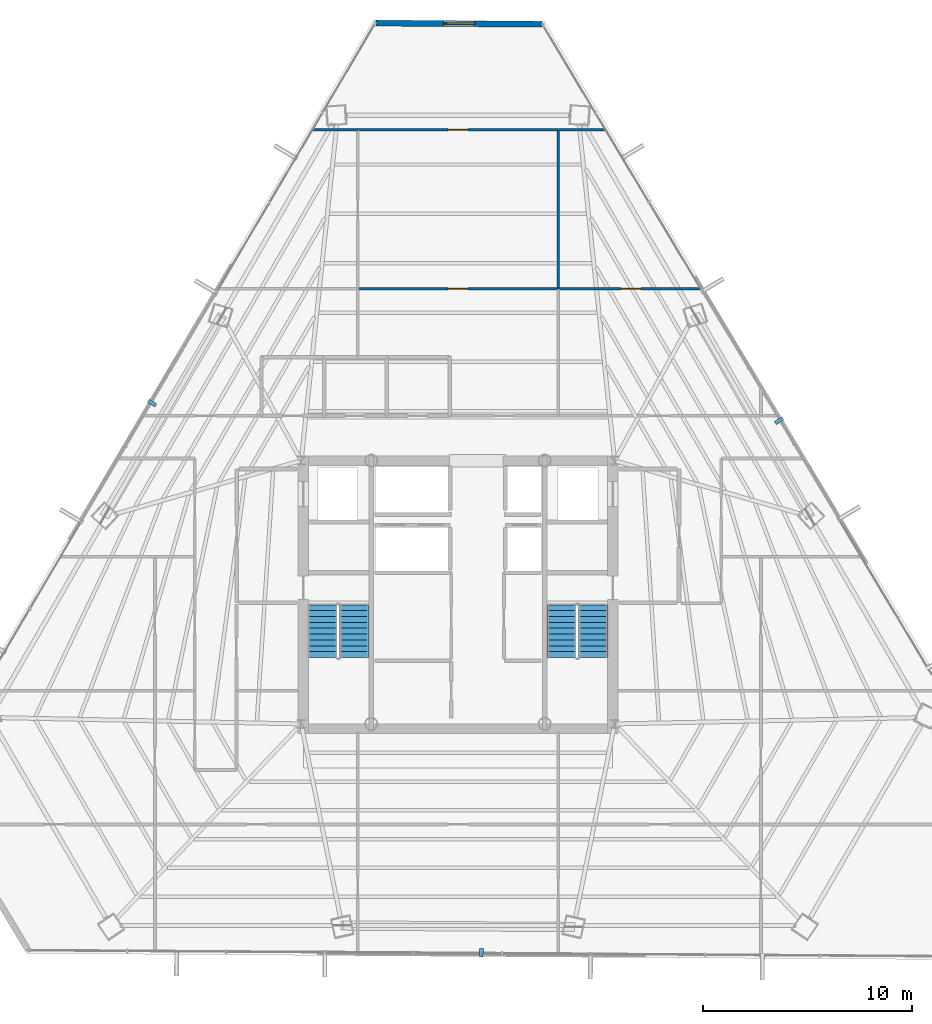
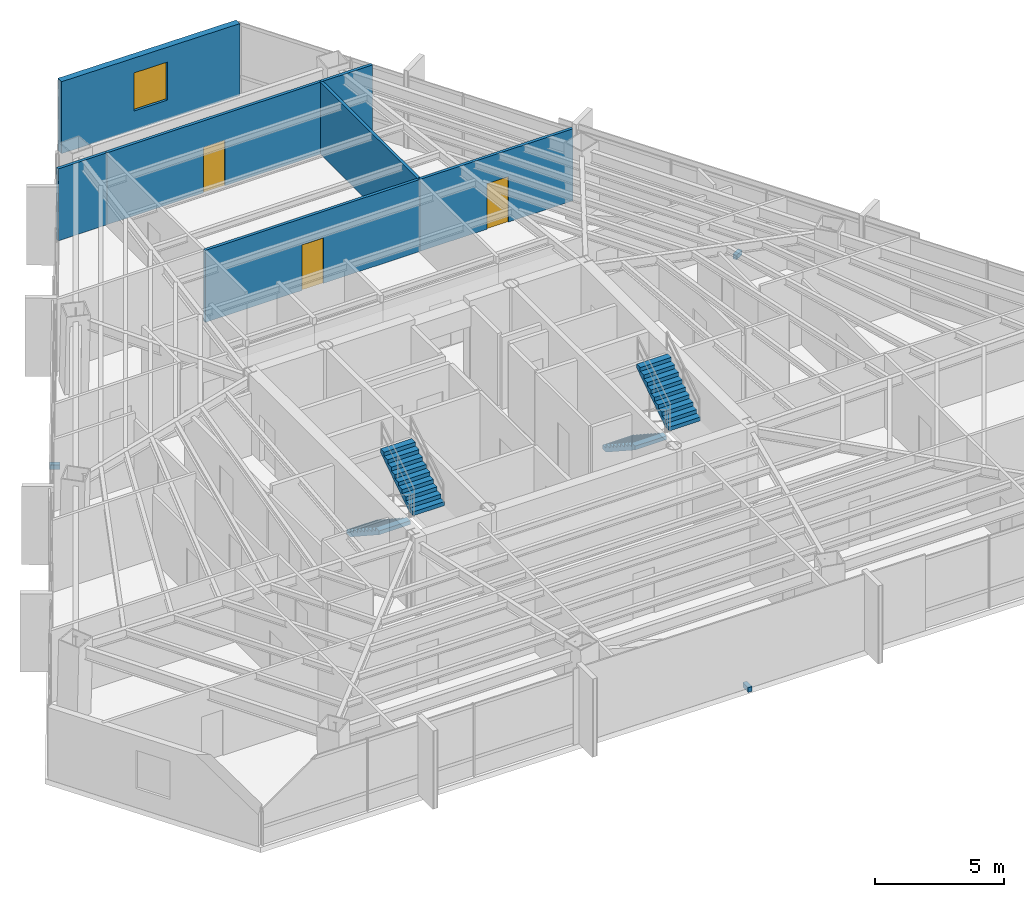
# One storey, part 38 of 41: 7 walls, 4 stair flights, 3 discrete accessories, 3 doors, 1 window, 4 openings, 2 elements without a shape of their own.
"""IFC4 building model written with IfcOpenShell, lengths in metres."""

from ifc_helpers import new_model, si_unit, direction, frame, frame_2d, origin, origin_2d, place, context, subcontext, project, spatial, polyline, rectangle, outline, extrude, source, transform, mapped, material, layer, layer_set, type_object, type_shapes, element, fill, aggregate, save


model = new_model("IFC4")

# Units and contexts
model_context = context("Model", 3, precision=1e-05, world=origin(), true_north=direction((0.0, 1.0)))
body_context = subcontext(model_context, "Body", "Model", "MODEL_VIEW")
ifc_project = project(units=[si_unit("LENGTHUNIT", "METRE"), si_unit("AREAUNIT", "SQUARE_METRE"), si_unit("VOLUMEUNIT", "CUBIC_METRE"), si_unit("PLANEANGLEUNIT", "RADIAN"), si_unit("MASSUNIT", "GRAM", prefix="KILO")], contexts=[model_context])

# Site, building, storey
site_placement = place(None, origin())
site = spatial("IfcSite", under=ifc_project, at=site_placement, CompositionType="ELEMENT")
building_placement = place(site_placement, origin())
building = spatial("IfcBuilding", under=site, at=building_placement, Name="Caelisora Broadcast Tower", CompositionType="ELEMENT")
storey_placement = place(building_placement, frame((0.0, 0.0, 173.10009765625)))
storey = spatial("IfcBuildingStorey", under=building, at=storey_placement, Name="L45", CompositionType="ELEMENT", Elevation=173.10009765625)

# Wall, opening, window
ifc_material_1 = material(Name="Insulated Terracotta Spandrel Wall System", Category="masonry")
ifc_layer_1 = layer(ifc_material_1, 0.280029296875, Name="Insulated Terracotta Spandrel Wall System")
ifc_layer_set_1 = layer_set([ifc_layer_1], Name="Insulated Terracotta Spandrel Wall System")
wall_type_1 = type_object("IfcWallType", Name="EW1", PredefinedType="STANDARD", material=ifc_layer_set_1)
wall_1_placement = place(storey_placement, frame((34.0791015625, 50.935791015625, 0.0), z_axis=(0.0, 0.0, 1.0), x_axis=(0.999978932119, -0.006491172271, 0.0)))
wall_1 = element("IfcWall", 1, at=wall_1_placement, inside=storey, type_object=wall_type_1, Name="L45 exterior envelope wall EW1", PredefinedType="STANDARD", context=body_context, shape_type="SweptSolid", body=[
    extrude(rectangle(XDim=7.93603515625, YDim=0.280029296875, at=frame_2d((3.968017578125, 0.0))), origin(), (0.0, 0.0, 1.0), 3.39990234375),
])
opening_1_placement = place(wall_1_placement, frame((3.219970703125, 0.0, 0.89990234375)))
opening_1 = element("IfcOpeningElement", 2, at=opening_1_placement, cuts=wall_1, Name="Opening W02", PredefinedType="OPENING", context=body_context, shape_type="SweptSolid", body=[
    extrude(rectangle(XDim=1.5, YDim=1.800048828125, at=frame_2d((0.75, 0.89990234375))), frame((0.0, 0.152099609375, 0.0), z_axis=(0.0, -1.0, 0.0), x_axis=(1.0, 0.0, 0.0)), (0.0, 0.0, 1.0), 0.303955078125),
])
ifc_material_2 = material(Name="Double Glazed Terracotta-Framed Vision Window", Category="glass")
window_type = type_object("IfcWindowType", Name="W02", PartitioningType="SINGLE_PANEL", PredefinedType="WINDOW", material=ifc_material_2)
window_placement = place(opening_1_placement, origin())
window = element("IfcWindow", 3, at=window_placement, inside=storey, type_object=window_type, Name="L45 window W02 (L45-WN-CH8)", OverallHeight=1.800048828125, OverallWidth=1.5, PartitioningType="SINGLE_PANEL", PredefinedType="WINDOW", context=body_context, shape_type="SweptSolid", body=[
    extrude(rectangle(XDim=1.5, YDim=1.800048828125, at=frame_2d((0.75, 0.89990234375))), frame((0.0, 0.030029296875, 0.0), z_axis=(0.0, -1.0, 0.0), x_axis=(1.0, 0.0, 0.0)), (0.0, 0.0, 1.0), 0.06005859375),
])
fill(opening_1, window)

# Wall, opening, door
ifc_material_3 = material(Name="Acoustic Steel-Stud Plasterboard Partition", Category="gypsum")
ifc_layer_2 = layer(ifc_material_3, 0.1298828125, Name="Acoustic Steel-Stud Plasterboard Partition")
ifc_layer_set_2 = layer_set([ifc_layer_2], Name="Acoustic Steel-Stud Plasterboard Partition")
wall_type_2 = type_object("IfcWallType", Name="PW3", PredefinedType="PARTITIONING", material=ifc_layer_set_2)
wall_2_placement = place(storey_placement, frame((33.205078125, 45.830078125, 0.0), z_axis=(0.0, 0.0, 1.0), x_axis=(1.0, 0.0, 0.0)))
wall_2 = element("IfcWall", 4, at=wall_2_placement, inside=storey, type_object=wall_type_2, Name="L45 internal partition PW3", PredefinedType="PARTITIONING", context=body_context, shape_type="SweptSolid", body=[
    extrude(rectangle(XDim=9.58984375, YDim=0.1298828125, at=frame_2d((4.794921875, 0.0))), origin(), (0.0, 0.0, 1.0), 3.39990234375),
])
opening_2_placement = place(wall_2_placement, frame((4.31494140625, 0.0, 0.0)))
opening_2 = element("IfcOpeningElement", 5, at=opening_2_placement, cuts=wall_2, Name="Opening D01", PredefinedType="OPENING", context=body_context, shape_type="SweptSolid", body=[
    extrude(rectangle(XDim=0.9599609375, YDim=2.14990234375, at=frame_2d((0.47998046875, 1.074951171875))), frame((0.0, 0.076904296875, 0.0), z_axis=(0.0, -1.0, 0.0), x_axis=(1.0, 0.0, 0.0)), (0.0, 0.0, 1.0), 0.15380859375),
])
ifc_material_4 = material(Name="Solid-Core Timber Acoustic Office Door", Category="wood")
door_type = type_object("IfcDoorType", Name="D01", OperationType="NOTDEFINED", PredefinedType="DOOR", material=ifc_material_4)
door_1_placement = place(opening_2_placement, origin())
door_1 = element("IfcDoor", 6, at=door_1_placement, inside=storey, type_object=door_type, Name="L45 door D01 (L45-DR-P32D1)", OperationType="SINGLE_SWING_LEFT", OverallHeight=2.14990234375, OverallWidth=0.9599609375, PredefinedType="DOOR", context=body_context, shape_type="SweptSolid", body=[
    extrude(rectangle(XDim=0.9599609375, YDim=2.14990234375, at=frame_2d((0.47998046875, 1.074951171875))), frame((0.0, 0.02490234375, 0.0), z_axis=(0.0, -1.0, 0.0), x_axis=(1.0, 0.0, 0.0)), (0.0, 0.0, 1.0), 0.050048828125),
])
fill(opening_2, door_1)

wall_3_placement = place(storey_placement, frame((33.205078125, 38.219970703125, 0.0), z_axis=(0.0, 0.0, 1.0), x_axis=(1.0, 0.0, 0.0)))
wall_3 = element("IfcWall", 7, at=wall_3_placement, inside=storey, type_object=wall_type_2, Name="L45 internal partition PW3", PredefinedType="PARTITIONING", context=body_context, shape_type="SweptSolid", body=[
    extrude(rectangle(XDim=9.58984375, YDim=0.1298828125, at=frame_2d((4.794921875, 0.0))), origin(), (0.0, 0.0, 1.0), 3.39990234375),
])
opening_3_placement = place(wall_3_placement, frame((4.31494140625, 0.0, 0.0)))
opening_3 = element("IfcOpeningElement", 8, at=opening_3_placement, cuts=wall_3, Name="Opening D01", PredefinedType="OPENING", context=body_context, shape_type="SweptSolid", body=[
    extrude(rectangle(XDim=0.9599609375, YDim=2.14990234375, at=frame_2d((0.47998046875, 1.074951171875))), frame((0.0, 0.076904296875, 0.0), z_axis=(0.0, -1.0, 0.0), x_axis=(1.0, 0.0, 0.0)), (0.0, 0.0, 1.0), 0.15380859375),
])
door_2_placement = place(opening_3_placement, origin())
door_2 = element("IfcDoor", 9, at=door_2_placement, inside=storey, type_object=door_type, Name="L45 door D01 (L45-DR-P33D1)", OperationType="SINGLE_SWING_RIGHT", OverallHeight=2.14990234375, OverallWidth=0.9599609375, PredefinedType="DOOR", context=body_context, shape_type="SweptSolid", body=[
    extrude(rectangle(XDim=0.9599609375, YDim=2.14990234375, at=frame_2d((0.47998046875, 1.074951171875))), frame((0.0, 0.02490234375, 0.0), z_axis=(0.0, -1.0, 0.0), x_axis=(1.0, 0.0, 0.0)), (0.0, 0.0, 1.0), 0.050048828125),
])
fill(opening_3, door_2)

# Wall
wall_4_placement = place(storey_placement, frame((42.800048828125, 38.22509765625, 0.0), z_axis=(0.0, 0.0, 1.0), x_axis=(0.0, 1.0, 0.0)))
element("IfcWall", 10, at=wall_4_placement, inside=storey, type_object=wall_type_2, Name="L45 internal partition PW3", PredefinedType="PARTITIONING", context=body_context, shape_type="SweptSolid", body=[
    extrude(rectangle(XDim=7.599853515625, YDim=0.1298828125, at=frame_2d((3.7998046875, 0.0))), origin(), (0.0, 0.0, 1.0), 3.39990234375),
])

# Wall, opening, door
wall_5_placement = place(storey_placement, frame((42.804931640625, 38.219970703125, 0.0), z_axis=(0.0, 0.0, 1.0), x_axis=(1.0, 0.0, 0.0)))
wall_5 = element("IfcWall", 11, at=wall_5_placement, inside=storey, type_object=wall_type_2, Name="L45 internal partition PW3", PredefinedType="PARTITIONING", context=body_context, shape_type="SweptSolid", body=[
    extrude(rectangle(XDim=6.828125, YDim=0.1298828125, at=frame_2d((3.4140625, 0.0))), origin(), (0.0, 0.0, 1.0), 3.39990234375),
])
opening_4_placement = place(wall_5_placement, frame((2.988037109375, 0.0, 0.0)))
opening_4 = element("IfcOpeningElement", 12, at=opening_4_placement, cuts=wall_5, Name="Opening D01", PredefinedType="OPENING", context=body_context, shape_type="SweptSolid", body=[
    extrude(rectangle(XDim=0.9599609375, YDim=2.14990234375, at=frame_2d((0.47998046875, 1.074951171875))), frame((0.0, 0.076904296875, 0.0), z_axis=(0.0, -1.0, 0.0), x_axis=(1.0, 0.0, 0.0)), (0.0, 0.0, 1.0), 0.15380859375),
])
door_3_placement = place(opening_4_placement, origin())
door_3 = element("IfcDoor", 13, at=door_3_placement, inside=storey, type_object=door_type, Name="L45 door D01 (L45-DR-P39D1)", OperationType="SINGLE_SWING_RIGHT", OverallHeight=2.14990234375, OverallWidth=0.9599609375, PredefinedType="DOOR", context=body_context, shape_type="SweptSolid", body=[
    extrude(rectangle(XDim=0.9599609375, YDim=2.14990234375, at=frame_2d((0.47998046875, 1.074951171875))), frame((0.0, 0.02490234375, 0.0), z_axis=(0.0, -1.0, 0.0), x_axis=(1.0, 0.0, 0.0)), (0.0, 0.0, 1.0), 0.050048828125),
])
fill(opening_4, door_3)

# Walls
wall_6_placement = place(storey_placement, frame((42.804931640625, 45.830078125, 0.0), z_axis=(0.0, 0.0, 1.0), x_axis=(1.0, 0.0, 0.0)))
element("IfcWall", 14, at=wall_6_placement, inside=storey, type_object=wall_type_2, Name="L45 internal partition PW3", PredefinedType="PARTITIONING", context=body_context, shape_type="SweptSolid", body=[
    extrude(rectangle(XDim=2.271484375, YDim=0.1298828125, at=frame_2d((1.1357421875, 0.0))), origin(), (0.0, 0.0, 1.0), 3.39990234375),
])
wall_7_placement = place(storey_placement, frame((31.03173828125, 45.830078125, 0.0), z_axis=(0.0, 0.0, 1.0), x_axis=(1.0, 0.0, 0.0)))
element("IfcWall", 15, at=wall_7_placement, inside=storey, type_object=wall_type_2, Name="L45 internal partition PW3", PredefinedType="PARTITIONING", context=body_context, shape_type="SweptSolid", body=[
    extrude(rectangle(XDim=2.163330078125, YDim=0.1298828125, at=frame_2d((1.08154296875, 0.0))), origin(), (0.0, 0.0, 1.0), 3.39990234375),
])

# Stair, stair flights
ifc_material_5 = material(Name="Concrete 40 MPa (AS 3600 N40)", Category="concrete")
stair_type_1 = type_object("IfcStairType", Name="ST-1", PredefinedType="HALF_TURN_STAIR", material=ifc_material_5)
stair_1_placement = place(storey_placement, origin())
stair_1 = element("IfcStair", 16, at=stair_1_placement, inside=storey, type_object=stair_type_1, Name="L45 West Fire-Isolated Tower Stair", PredefinedType="HALF_TURN_STAIR")
stair_flight_type = type_object("IfcStairFlightType", Name="STF-3", PredefinedType="STRAIGHT", material=ifc_material_5)
stair_flight_1_placement = place(storey_placement, frame((31.52001953125, 23.10009765625, 0.0), z_axis=(0.0, 0.0, 1.0), x_axis=(0.0, -1.0, 0.0)))
stair_flight_1 = element("IfcStairFlight", 17, at=stair_flight_1_placement, type_object=stair_flight_type, Name="ST-1 flight 1", NumberOfRisers=10, NumberOfTreads=9, PredefinedType="STRAIGHT", RiserHeight=0.1825, TreadLength=0.28, context=body_context, shape_type="SweptSolid", body=[
    extrude(outline(polyline([(0.0, 0.0), (0.0, 0.1826171875), (0.280029296875, 0.1826171875), (0.280029296875, 0.364990234375), (0.56005859375, 0.364990234375), (0.56005859375, 0.547607421875), (0.840087890625, 0.547607421875), (0.840087890625, 0.72998046875), (1.1201171875, 0.72998046875), (1.1201171875, 0.91259765625), (1.39990234375, 0.91259765625), (1.39990234375, 1.094970703125), (1.679931640625, 1.094970703125), (1.679931640625, 1.277587890625), (1.9599609375, 1.277587890625), (1.9599609375, 1.4599609375), (2.239990234375, 1.4599609375), (2.239990234375, 1.642578125), (2.52001953125, 1.642578125), (2.52001953125, 1.824951171875), (2.52001953125, 1.463623046875), (0.2744140625, 0.0), (0.0, 0.0)])), frame((0.0, 0.699951171875, 0.0), z_axis=(0.0, -1.0, 0.0), x_axis=(1.0, 0.0, 0.0)), (0.0, 0.0, 1.0), 1.39990234375),
])
stair_flight_2_placement = place(storey_placement, frame((33.0400390625, 20.580078125, 1.824951171875), z_axis=(0.0, 0.0, 1.0), x_axis=(0.0, 1.0, 0.0)))
stair_flight_2 = element("IfcStairFlight", 18, at=stair_flight_2_placement, type_object=stair_flight_type, Name="ST-1 flight 2", NumberOfRisers=10, NumberOfTreads=9, PredefinedType="STRAIGHT", RiserHeight=0.1825, TreadLength=0.28, context=body_context, shape_type="SweptSolid", body=[
    extrude(outline(polyline([(0.0, 0.0), (0.0, 0.1826171875), (0.280029296875, 0.1826171875), (0.280029296875, 0.364990234375), (0.56005859375, 0.364990234375), (0.56005859375, 0.547607421875), (0.840087890625, 0.547607421875), (0.840087890625, 0.72998046875), (1.1201171875, 0.72998046875), (1.1201171875, 0.91259765625), (1.39990234375, 0.91259765625), (1.39990234375, 1.094970703125), (1.679931640625, 1.094970703125), (1.679931640625, 1.277587890625), (1.9599609375, 1.277587890625), (1.9599609375, 1.4599609375), (2.239990234375, 1.4599609375), (2.239990234375, 1.642578125), (2.52001953125, 1.642578125), (2.52001953125, 1.824951171875), (2.52001953125, 1.463623046875), (0.2744140625, 0.0), (0.0, 0.0)])), frame((0.0, 0.699951171875, 0.0), z_axis=(0.0, -1.0, 0.0), x_axis=(1.0, 0.0, 0.0)), (0.0, 0.0, 1.0), 1.39990234375),
])
aggregate(stair_1, [stair_flight_1, stair_flight_2])

stair_type_2 = type_object("IfcStairType", Name="ST-2", PredefinedType="HALF_TURN_STAIR", material=ifc_material_5)
stair_2_placement = place(storey_placement, origin())
stair_2 = element("IfcStair", 19, at=stair_2_placement, inside=storey, type_object=stair_type_2, Name="L45 East Fire-Isolated Tower Stair", PredefinedType="HALF_TURN_STAIR")
stair_flight_3_placement = place(storey_placement, frame((42.9599609375, 23.10009765625, 0.0), z_axis=(0.0, 0.0, 1.0), x_axis=(0.0, -1.0, 0.0)))
stair_flight_3 = element("IfcStairFlight", 20, at=stair_flight_3_placement, type_object=stair_flight_type, Name="ST-2 flight 1", NumberOfRisers=10, NumberOfTreads=9, PredefinedType="STRAIGHT", RiserHeight=0.1825, TreadLength=0.28, context=body_context, shape_type="SweptSolid", body=[
    extrude(outline(polyline([(0.0, 0.0), (0.0, 0.1826171875), (0.280029296875, 0.1826171875), (0.280029296875, 0.364990234375), (0.56005859375, 0.364990234375), (0.56005859375, 0.547607421875), (0.840087890625, 0.547607421875), (0.840087890625, 0.72998046875), (1.1201171875, 0.72998046875), (1.1201171875, 0.91259765625), (1.39990234375, 0.91259765625), (1.39990234375, 1.094970703125), (1.679931640625, 1.094970703125), (1.679931640625, 1.277587890625), (1.9599609375, 1.277587890625), (1.9599609375, 1.4599609375), (2.239990234375, 1.4599609375), (2.239990234375, 1.642578125), (2.52001953125, 1.642578125), (2.52001953125, 1.824951171875), (2.52001953125, 1.463623046875), (0.2744140625, 0.0), (0.0, 0.0)])), frame((0.0, 0.699951171875, 0.0), z_axis=(0.0, -1.0, 0.0), x_axis=(1.0, 0.0, 0.0)), (0.0, 0.0, 1.0), 1.39990234375),
])
stair_flight_4_placement = place(storey_placement, frame((44.47998046875, 20.580078125, 1.824951171875), z_axis=(0.0, 0.0, 1.0), x_axis=(0.0, 1.0, 0.0)))
stair_flight_4 = element("IfcStairFlight", 21, at=stair_flight_4_placement, type_object=stair_flight_type, Name="ST-2 flight 2", NumberOfRisers=10, NumberOfTreads=9, PredefinedType="STRAIGHT", RiserHeight=0.1825, TreadLength=0.28, context=body_context, shape_type="SweptSolid", body=[
    extrude(outline(polyline([(0.0, 0.0), (0.0, 0.1826171875), (0.280029296875, 0.1826171875), (0.280029296875, 0.364990234375), (0.56005859375, 0.364990234375), (0.56005859375, 0.547607421875), (0.840087890625, 0.547607421875), (0.840087890625, 0.72998046875), (1.1201171875, 0.72998046875), (1.1201171875, 0.91259765625), (1.39990234375, 0.91259765625), (1.39990234375, 1.094970703125), (1.679931640625, 1.094970703125), (1.679931640625, 1.277587890625), (1.9599609375, 1.277587890625), (1.9599609375, 1.4599609375), (2.239990234375, 1.4599609375), (2.239990234375, 1.642578125), (2.52001953125, 1.642578125), (2.52001953125, 1.824951171875), (2.52001953125, 1.463623046875), (0.2744140625, 0.0), (0.0, 0.0)])), frame((0.0, 0.699951171875, 0.0), z_axis=(0.0, -1.0, 0.0), x_axis=(1.0, 0.0, 0.0)), (0.0, 0.0, 1.0), 1.39990234375),
])
aggregate(stair_2, [stair_flight_3, stair_flight_4])

# Discrete accessories
ifc_material_6 = material(Name="Steel Grade 350 (AS/NZS 3679.1)", Category="steel")
discrete_accessory_type = type_object("IfcDiscreteAccessoryType", Name="BRK-1", PredefinedType="BRACKET", material=ifc_material_6)
shared_shape = source(origin(), body_context, "Body", "SweptSolid", [
    extrude(rectangle(XDim=0.179931640625, YDim=0.419921875, at=origin_2d()), origin(), (0.0, 0.0, 1.0), 0.219970703125),
])
type_shapes(discrete_accessory_type, [shared_shape])
for number, where, z_axis, x_axis, name in (
    (22, (23.361572265625, 32.756591796875, -0.16015625), (0.0, 0.0, 1.0), (-0.507989441341, -0.861363295878, 0.0), "L45 solar screen outrigger bracket #1"),
    (23, (39.12109375, 6.451416015625, -0.16015625), (0.0, 0.0, 1.0), (0.999978006703, -0.006632202536, 0.0), "L45 solar screen outrigger bracket #2"),
    (24, (53.37109375, 31.908935546875, -0.16015625), (0.0, 0.0, 1.0), (-0.513691004814, 0.857975262798, 0.0), "L45 solar screen outrigger bracket #3"),
):
    element("IfcDiscreteAccessory", number, at=place(storey_placement, frame(where, z_axis=z_axis, x_axis=x_axis)), inside=storey, type_object=discrete_accessory_type, Name=name, PredefinedType="BRACKET", context=body_context, shape_type="MappedRepresentation", body=[
        mapped(shared_shape, transform((0.0, 0.0, 0.0), scale=1.0)),
    ])

save(model, "model.ifc")
